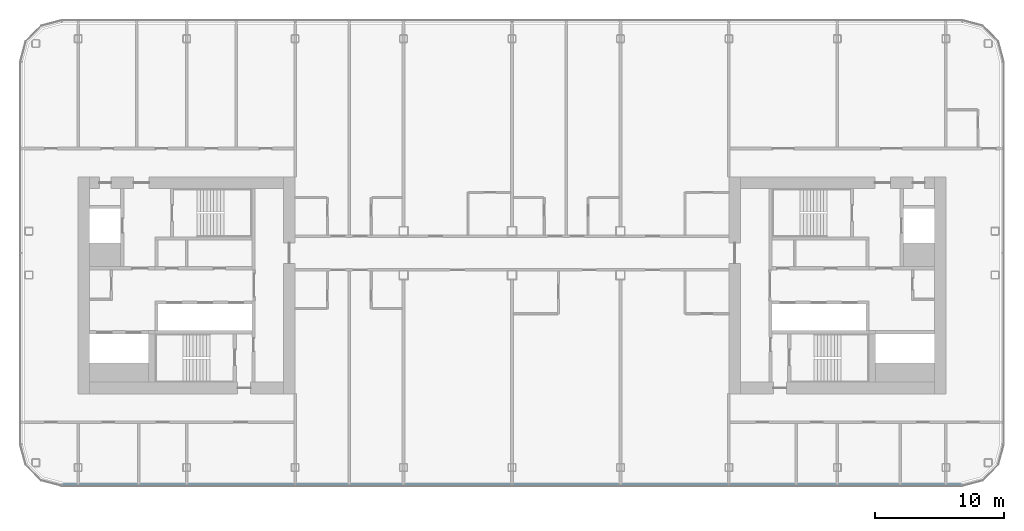
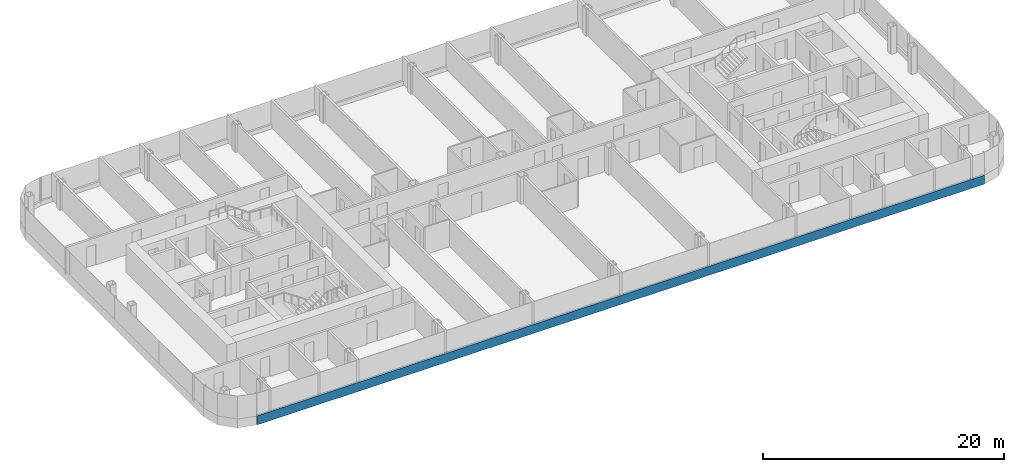
# One storey, part 4 of 26: 1 member, 1 element without a shape of its own.
"""IFC4 building model written with IfcOpenShell, lengths in metres."""

from ifc_helpers import new_model, si_unit, direction, frame, origin, origin_2d, place, context, subcontext, project, spatial, rectangle, extrude, material, layer, layer_set, material_profile, profile_set, type_object, element, aggregate, save


model = new_model("IFC4")

# Units and contexts
model_context = context("Model", 3, precision=1e-05, world=origin(), true_north=direction((0.0, 1.0)))
body_context = subcontext(model_context, "Body", "Model", "MODEL_VIEW")
ifc_project = project(units=[si_unit("LENGTHUNIT", "METRE"), si_unit("AREAUNIT", "SQUARE_METRE"), si_unit("VOLUMEUNIT", "CUBIC_METRE"), si_unit("PLANEANGLEUNIT", "RADIAN"), si_unit("MASSUNIT", "GRAM", prefix="KILO")], contexts=[model_context])

# Site, building, storey
site_placement = place(None, origin())
site = spatial("IfcSite", under=ifc_project, at=site_placement, CompositionType="ELEMENT")
building_placement = place(site_placement, origin())
building = spatial("IfcBuilding", under=site, at=building_placement, Name="Hakoniwa Tower and Hamabe Station Hall", CompositionType="ELEMENT")
storey_placement = place(building_placement, frame((0.0, 0.0, 212.199951171875)))
storey = spatial("IfcBuildingStorey", under=building, at=storey_placement, Name="L60", CompositionType="ELEMENT", Elevation=212.199951171875)

# Curtain wall, member
ifc_material_1 = material(Name="Dark low-e laminated glass", Category="glass")
ifc_layer = layer(ifc_material_1, 0.199951171875)
ifc_layer_set = layer_set([ifc_layer], Name="CW-1 UNITISED GUEST")
curtain_wall_type = type_object("IfcCurtainWallType", Name="CW-1 UNITISED GUEST", PredefinedType="NOTDEFINED", material=ifc_layer_set)
curtain_wall_placement = place(storey_placement, origin())
curtain_wall = element("IfcCurtainWall", 1, at=curtain_wall_placement, inside=storey, type_object=curtain_wall_type, Name="CW-1 curtain wall", PredefinedType="NOTDEFINED")
ifc_material_2 = material(Name="Aluminium 6063-T5 black anodised", Category="aluminium")
ifc_material_profile = material_profile(ifc_material_2, rectangle(XDim=0.199951171875, YDim=0.89990234375, at=origin_2d()), Name="CW SLAB-EDGE BAND 900X200")
ifc_profile_set = profile_set([ifc_material_profile], Name="Aluminium 6063-T5 black anodised")
member_type = type_object("IfcMemberType", Name="CW SLAB-EDGE BAND 900X200", PredefinedType="USERDEFINED", material=ifc_profile_set)
member_placement = place(storey_placement, frame((-34.839599609375, -15.449951171875, -0.099853515625), z_axis=(1.0, 0.0, 0.0), x_axis=(0.0, 1.0, 0.0)))
member = element("IfcMember", 2, at=member_placement, type_object=member_type, Name="CW-1 transom", ObjectType="TRANSOM", PredefinedType="USERDEFINED", context=body_context, shape_type="SweptSolid", body=[
    extrude(rectangle(XDim=0.199951171875, YDim=0.89990234375, at=origin_2d()), origin(), (0.0, 0.0, 1.0), 69.67919921875),
])
aggregate(curtain_wall, [member])

save(model, "model.ifc")
